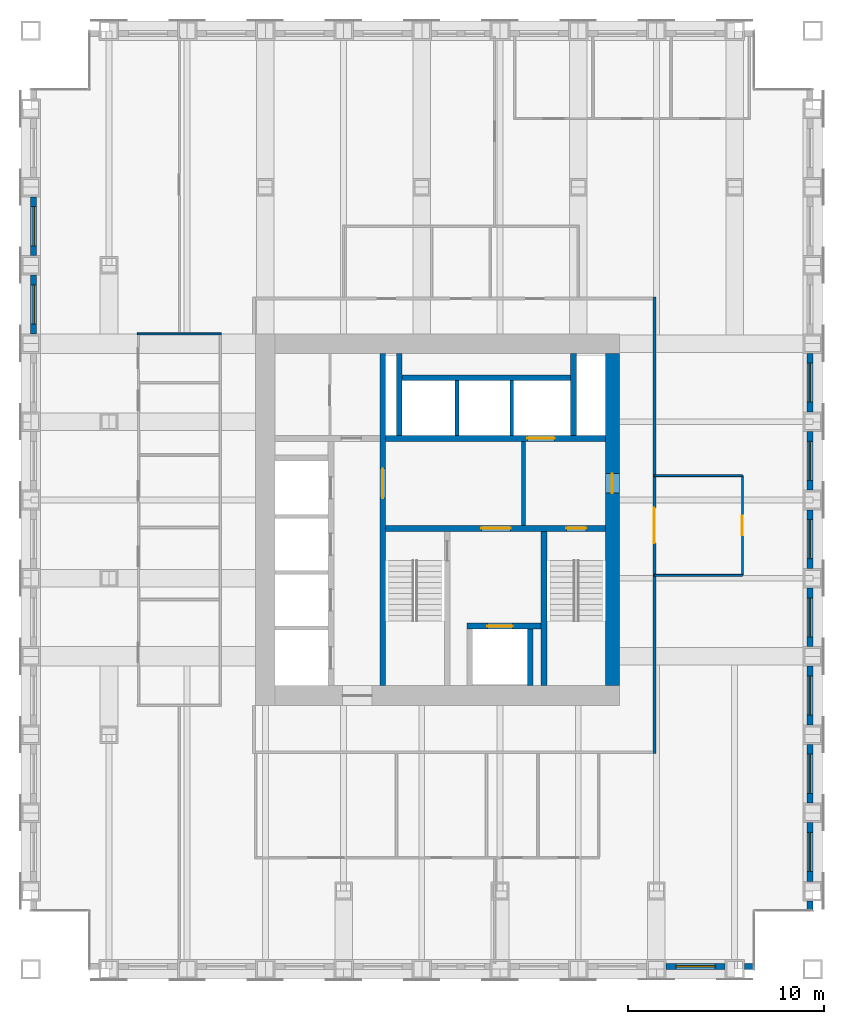
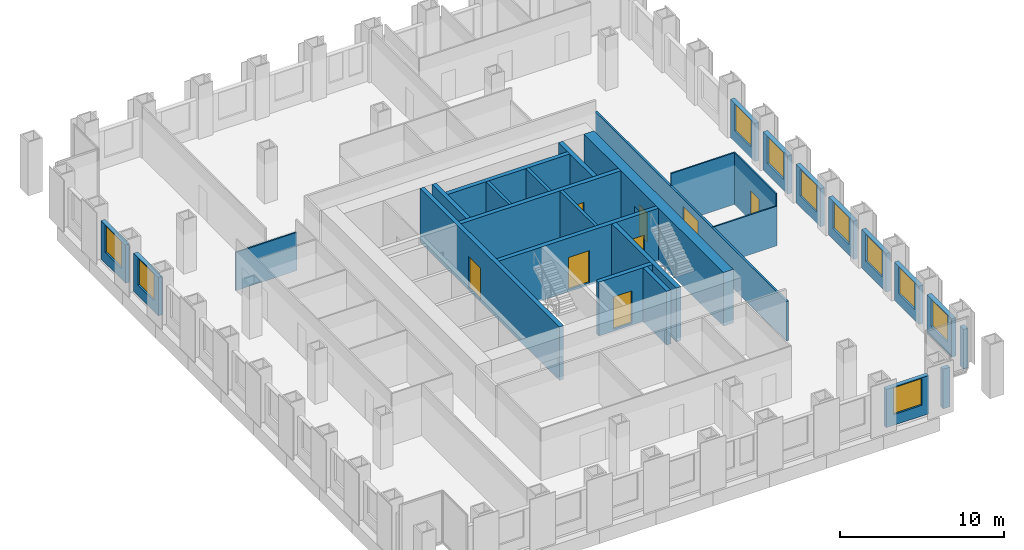
# One storey, part 9 of 12: 30 walls, 10 windows, 8 doors, 18 openings.
"""IFC4 building model written with IfcOpenShell, lengths in metres."""

from ifc_helpers import new_model, si_unit, direction, frame, frame_2d, origin, place, context, subcontext, project, spatial, rectangle, extrude, material, layer, layer_set, type_object, element, fill, save


model = new_model("IFC4")

# Units and contexts
model_context = context("Model", 3, precision=1e-05, world=origin(), true_north=direction((0.0, 1.0)))
body_context = subcontext(model_context, "Body", "Model", "MODEL_VIEW")
ifc_project = project(units=[si_unit("LENGTHUNIT", "METRE"), si_unit("AREAUNIT", "SQUARE_METRE"), si_unit("VOLUMEUNIT", "CUBIC_METRE"), si_unit("PLANEANGLEUNIT", "RADIAN"), si_unit("MASSUNIT", "GRAM", prefix="KILO")], contexts=[model_context])

# Site, building, storey
site_placement = place(None, origin())
site = spatial("IfcSite", under=ifc_project, at=site_placement, CompositionType="ELEMENT")
building_placement = place(site_placement, origin())
building = spatial("IfcBuilding", under=site, at=building_placement, Name="Rimbunsela Tower", CompositionType="ELEMENT")
storey_placement = place(building_placement, frame((0.0, 0.0, 159.800048828125)))
storey = spatial("IfcBuildingStorey", under=building, at=storey_placement, Name="L38", CompositionType="ELEMENT", Elevation=159.800048828125)

# Wall, opening, door
ifc_material_1 = material(Name="Concrete fc' 80 MPa", Category="concrete")
ifc_layer_1 = layer(ifc_material_1, 0.300048828125)
ifc_layer_set_1 = layer_set([ifc_layer_1], Name="Core internal wall 300")
wall_type_1 = type_object("IfcWallType", Name="Core internal wall 300", PredefinedType="SHEAR", material=ifc_layer_set_1)
wall_1_placement = place(storey_placement, frame((24.0, 18.5, -0.150146484375), z_axis=(0.0, 0.0, 1.0), x_axis=(0.0, 1.0, 0.0)))
wall_1 = element("IfcWall", 1, at=wall_1_placement, inside=storey, type_object=wall_type_1, Name="Core wall at stair A", PredefinedType="SHEAR", context=body_context, shape_type="SweptSolid", body=[
    extrude(rectangle(XDim=17.0, YDim=0.300048828125, at=frame_2d((8.5, 0.0))), origin(), (0.0, 0.0, 1.0), 4.0),
])
opening_1_placement = place(wall_1_placement, frame((9.60009765625, 0.0, 0.14990234375)))
opening_1 = element("IfcOpeningElement", 2, at=opening_1_placement, cuts=wall_1, Name="Opening D03", PredefinedType="OPENING", context=body_context, shape_type="SweptSolid", body=[
    extrude(rectangle(XDim=1.5, YDim=2.39990234375, at=frame_2d((0.75, 1.199951171875))), frame((0.0, 0.159912109375, 0.0), z_axis=(0.0, -1.0, 0.0), x_axis=(1.0, 0.0, 0.0)), (0.0, 0.0, 1.0), 0.320068359375),
])
ifc_material_2 = material(Name="Steel door, fire rated", Category="steel")
door_type_1 = type_object("IfcDoorType", Name="Core lobby door 1500", OperationType="DOUBLE_DOOR_DOUBLE_SWING", PredefinedType="DOOR", material=ifc_material_2)
door_1_placement = place(opening_1_placement, origin())
door_1 = element("IfcDoor", 3, at=door_1_placement, inside=storey, type_object=door_type_1, Name="West lobby door", OperationType="DOUBLE_DOOR_DOUBLE_SWING", OverallHeight=2.39990234375, OverallWidth=1.5, PredefinedType="DOOR", context=body_context, shape_type="SweptSolid", body=[
    extrude(rectangle(XDim=1.5, YDim=2.39990234375, at=frame_2d((0.75, 1.199951171875))), frame((0.0, 0.02490234375, 0.0), z_axis=(0.0, -1.0, 0.0), x_axis=(1.0, 0.0, 0.0)), (0.0, 0.0, 1.0), 0.050048828125),
])
fill(opening_1, door_1)

# Wall, openings, doors
wall_2_placement = place(storey_placement, frame((24.14990234375, 26.550048828125, -0.150146484375), z_axis=(0.0, 0.0, 1.0), x_axis=(1.0, 0.0, 0.0)))
wall_2 = element("IfcWall", 4, at=wall_2_placement, inside=storey, type_object=wall_type_1, Name="Core wall lobby south", PredefinedType="SHEAR", context=body_context, shape_type="SweptSolid", body=[
    extrude(rectangle(XDim=11.25, YDim=0.300048828125, at=frame_2d((5.625, 0.0))), origin(), (0.0, 0.0, 1.0), 4.0),
])
opening_2_placement = place(wall_2_placement, frame((9.25, 0.0, 0.14990234375)))
opening_2 = element("IfcOpeningElement", 5, at=opening_2_placement, cuts=wall_2, Name="Opening D01", PredefinedType="OPENING", context=body_context, shape_type="SweptSolid", body=[
    extrude(rectangle(XDim=1.0, YDim=2.199951171875, at=frame_2d((0.5, 1.10009765625))), frame((0.0, 0.159912109375, 0.0), z_axis=(0.0, -1.0, 0.0), x_axis=(1.0, 0.0, 0.0)), (0.0, 0.0, 1.0), 0.320068359375),
])
opening_3_placement = place(wall_2_placement, frame((4.89990234375, 0.0, 0.14990234375)))
opening_3 = element("IfcOpeningElement", 6, at=opening_3_placement, cuts=wall_2, Name="Opening D03", PredefinedType="OPENING", context=body_context, shape_type="SweptSolid", body=[
    extrude(rectangle(XDim=1.5, YDim=2.39990234375, at=frame_2d((0.75, 1.199951171875))), frame((0.0, 0.159912109375, 0.0), z_axis=(0.0, -1.0, 0.0), x_axis=(1.0, 0.0, 0.0)), (0.0, 0.0, 1.0), 0.320068359375),
])
door_2_placement = place(opening_3_placement, origin())
door_2 = element("IfcDoor", 7, at=door_2_placement, inside=storey, type_object=door_type_1, Name="Firefighting lobby door", OperationType="DOUBLE_DOOR_DOUBLE_SWING", OverallHeight=2.39990234375, OverallWidth=1.5, PredefinedType="DOOR", context=body_context, shape_type="SweptSolid", body=[
    extrude(rectangle(XDim=1.5, YDim=2.39990234375, at=frame_2d((0.75, 1.199951171875))), frame((0.0, 0.02490234375, 0.0), z_axis=(0.0, -1.0, 0.0), x_axis=(1.0, 0.0, 0.0)), (0.0, 0.0, 1.0), 0.050048828125),
])
fill(opening_3, door_2)
ifc_material_3 = material(Name="Steel door, fire rated", Category="steel")
door_type_2 = type_object("IfcDoorType", Name="Stair door 1000", OperationType="SINGLE_SWING_RIGHT", PredefinedType="DOOR", material=ifc_material_3)
door_3_placement = place(opening_2_placement, frame((1.0, 0.0, 0.0), z_axis=(0.0, 0.0, 1.0), x_axis=(-1.0, 0.0, 0.0)))
door_3 = element("IfcDoor", 8, at=door_3_placement, inside=storey, type_object=door_type_2, Name="Stair B door", OperationType="SINGLE_SWING_RIGHT", OverallHeight=2.199951171875, OverallWidth=1.0, PredefinedType="DOOR", context=body_context, shape_type="SweptSolid", body=[
    extrude(rectangle(XDim=1.0, YDim=2.199951171875, at=frame_2d((0.5, 1.10009765625))), frame((0.0, 0.02490234375, 0.0), z_axis=(0.0, -1.0, 0.0), x_axis=(1.0, 0.0, 0.0)), (0.0, 0.0, 1.0), 0.050048828125),
])
fill(opening_2, door_3)

# Walls
wall_3_placement = place(storey_placement, frame((32.25, 18.5, -0.150146484375), z_axis=(0.0, 0.0, 1.0), x_axis=(0.0, 1.0, 0.0)))
element("IfcWall", 9, at=wall_3_placement, inside=storey, type_object=wall_type_1, Name="Stair B enclosure", PredefinedType="SHEAR", context=body_context, shape_type="SweptSolid", body=[
    extrude(rectangle(XDim=7.89990234375, YDim=0.300048828125, at=frame_2d((3.949951171875, 0.0))), origin(), (0.0, 0.0, 1.0), 4.0),
])
wall_4_placement = place(storey_placement, frame((31.550048828125, 18.5, -0.150146484375), z_axis=(0.0, 0.0, 1.0), x_axis=(0.0, 1.0, 0.0)))
element("IfcWall", 10, at=wall_4_placement, inside=storey, type_object=wall_type_1, Name="Firefighting lift shaft east", PredefinedType="SHEAR", context=body_context, shape_type="SweptSolid", body=[
    extrude(rectangle(XDim=2.89990234375, YDim=0.300048828125, at=frame_2d((1.449951171875, 0.0))), origin(), (0.0, 0.0, 1.0), 4.0),
])

# Wall, opening, door
wall_5_placement = place(storey_placement, frame((28.300048828125, 21.550048828125, -0.150146484375), z_axis=(0.0, 0.0, 1.0), x_axis=(1.0, 0.0, 0.0)))
wall_5 = element("IfcWall", 11, at=wall_5_placement, inside=storey, type_object=wall_type_1, Name="Firefighting lift shaft front", PredefinedType="SHEAR", context=body_context, shape_type="SweptSolid", body=[
    extrude(rectangle(XDim=3.800048828125, YDim=0.300048828125, at=frame_2d((1.89990234375, 0.0))), origin(), (0.0, 0.0, 1.0), 4.0),
])
opening_4_placement = place(wall_5_placement, frame((1.050048828125, 0.0, 0.14990234375)))
opening_4 = element("IfcOpeningElement", 12, at=opening_4_placement, cuts=wall_5, Name="Opening LD2", PredefinedType="OPENING", context=body_context, shape_type="SweptSolid", body=[
    extrude(rectangle(XDim=1.300048828125, YDim=2.39990234375, at=frame_2d((0.64990234375, 1.199951171875))), frame((0.0, 0.159912109375, 0.0), z_axis=(0.0, -1.0, 0.0), x_axis=(1.0, 0.0, 0.0)), (0.0, 0.0, 1.0), 0.320068359375),
])
ifc_material_4 = material(Name="Steel door, fire rated", Category="steel")
door_type_3 = type_object("IfcDoorType", Name="Lift landing door 1300", OperationType="DOUBLE_DOOR_SLIDING", PredefinedType="DOOR", material=ifc_material_4)
door_4_placement = place(opening_4_placement, origin())
door_4 = element("IfcDoor", 13, at=door_4_placement, inside=storey, type_object=door_type_3, Name="Lift landing door FL1", OperationType="DOUBLE_DOOR_SLIDING", OverallHeight=2.39990234375, OverallWidth=1.300048828125, PredefinedType="DOOR", context=body_context, shape_type="SweptSolid", body=[
    extrude(rectangle(XDim=1.300048828125, YDim=2.39990234375, at=frame_2d((0.64990234375, 1.199951171875))), frame((0.0, 0.02490234375, 0.0), z_axis=(0.0, -1.0, 0.0), x_axis=(1.0, 0.0, 0.0)), (0.0, 0.0, 1.0), 0.050048828125),
])
fill(opening_4, door_4)

wall_6_placement = place(storey_placement, frame((24.14990234375, 31.14990234375, -0.150146484375), z_axis=(0.0, 0.0, 1.0), x_axis=(1.0, 0.0, 0.0)))
wall_6 = element("IfcWall", 14, at=wall_6_placement, inside=storey, type_object=wall_type_1, Name="Lift shaft front north", PredefinedType="SHEAR", context=body_context, shape_type="SweptSolid", body=[
    extrude(rectangle(XDim=11.25, YDim=0.300048828125, at=frame_2d((5.625, 0.0))), origin(), (0.0, 0.0, 1.0), 4.0),
])
opening_5_placement = place(wall_6_placement, frame((7.25, 0.0, 0.14990234375)))
opening_5 = element("IfcOpeningElement", 15, at=opening_5_placement, cuts=wall_6, Name="Opening LD3", PredefinedType="OPENING", context=body_context, shape_type="SweptSolid", body=[
    extrude(rectangle(XDim=1.39990234375, YDim=2.39990234375, at=frame_2d((0.699951171875, 1.199951171875))), frame((0.0, 0.159912109375, 0.0), z_axis=(0.0, -1.0, 0.0), x_axis=(1.0, 0.0, 0.0)), (0.0, 0.0, 1.0), 0.320068359375),
])
ifc_material_5 = material(Name="Steel door, fire rated", Category="steel")
door_type_4 = type_object("IfcDoorType", Name="Lift landing door 1400", OperationType="DOUBLE_DOOR_SLIDING", PredefinedType="DOOR", material=ifc_material_5)
door_5_placement = place(opening_5_placement, origin())
door_5 = element("IfcDoor", 16, at=door_5_placement, inside=storey, type_object=door_type_4, Name="Lift landing door FL2", OperationType="DOUBLE_DOOR_SLIDING", OverallHeight=2.39990234375, OverallWidth=1.39990234375, PredefinedType="DOOR", context=body_context, shape_type="SweptSolid", body=[
    extrude(rectangle(XDim=1.39990234375, YDim=2.39990234375, at=frame_2d((0.699951171875, 1.199951171875))), frame((0.0, 0.02490234375, 0.0), z_axis=(0.0, -1.0, 0.0), x_axis=(1.0, 0.0, 0.0)), (0.0, 0.0, 1.0), 0.050048828125),
])
fill(opening_5, door_5)

# Walls
for number, where, z_axis, x_axis, name in (
    (17, (24.85009765625, 31.300048828125, -0.150146484375), (0.0, 0.0, 1.0), (0.0, 1.0, 0.0), "Riser wall"),
    (18, (33.75, 31.300048828125, -0.150146484375), (0.0, 0.0, 1.0), (0.0, 1.0, 0.0), "Riser wall"),
):
    element("IfcWall", number, at=place(storey_placement, frame(where, z_axis=z_axis, x_axis=x_axis)), inside=storey, type_object=wall_type_1, Name=name, PredefinedType="SHEAR", context=body_context, shape_type="SweptSolid", body=[
        extrude(rectangle(XDim=4.199951171875, YDim=0.300048828125, at=frame_2d((2.10009765625, 0.0))), origin(), (0.0, 0.0, 1.0), 4.0),
    ])
wall_7_placement = place(storey_placement, frame((25.0, 34.25, -0.150146484375), z_axis=(0.0, 0.0, 1.0), x_axis=(1.0, 0.0, 0.0)))
element("IfcWall", 19, at=wall_7_placement, inside=storey, type_object=wall_type_1, Name="Lift shaft rear north", PredefinedType="SHEAR", context=body_context, shape_type="SweptSolid", body=[
    extrude(rectangle(XDim=8.60009765625, YDim=0.300048828125, at=frame_2d((4.300048828125, 0.0))), origin(), (0.0, 0.0, 1.0), 4.0),
])

# Wall, opening, door
ifc_material_6 = material(Name="Concrete fc' 80 MPa", Category="concrete")
ifc_layer_2 = layer(ifc_material_6, 0.699951171875)
ifc_layer_set_2 = layer_set([ifc_layer_2], Name="Core wall 700 east")
wall_type_2 = type_object("IfcWallType", Name="Core wall 700 east", PredefinedType="SHEAR", material=ifc_layer_set_2)
wall_8_placement = place(storey_placement, frame((35.75, 18.5, -0.150146484375), z_axis=(0.0, 0.0, 1.0), x_axis=(0.0, 1.0, 0.0)))
wall_8 = element("IfcWall", 20, at=wall_8_placement, inside=storey, type_object=wall_type_2, Name="Core wall east", PredefinedType="SHEAR", context=body_context, shape_type="SweptSolid", body=[
    extrude(rectangle(XDim=17.0, YDim=0.699951171875, at=frame_2d((8.5, 0.0))), origin(), (0.0, 0.0, 1.0), 4.0),
])
opening_6_placement = place(wall_8_placement, frame((9.85009765625, 0.0, 0.14990234375)))
opening_6 = element("IfcOpeningElement", 21, at=opening_6_placement, cuts=wall_8, Name="Opening D01", PredefinedType="OPENING", context=body_context, shape_type="SweptSolid", body=[
    extrude(rectangle(XDim=1.0, YDim=2.199951171875, at=frame_2d((0.5, 1.10009765625))), frame((0.0, 0.35986328125, 0.0), z_axis=(0.0, -1.0, 0.0), x_axis=(1.0, 0.0, 0.0)), (0.0, 0.0, 1.0), 0.719970703125),
])
door_6_placement = place(opening_6_placement, origin())
door_6 = element("IfcDoor", 22, at=door_6_placement, inside=storey, type_object=door_type_2, Name="Firefighting lobby 2 door", OperationType="SINGLE_SWING_RIGHT", OverallHeight=2.199951171875, OverallWidth=1.0, PredefinedType="DOOR", context=body_context, shape_type="SweptSolid", body=[
    extrude(rectangle(XDim=1.0, YDim=2.199951171875, at=frame_2d((0.5, 1.10009765625))), frame((0.0, 0.02490234375, 0.0), z_axis=(0.0, -1.0, 0.0), x_axis=(1.0, 0.0, 0.0)), (0.0, 0.0, 1.0), 0.050048828125),
])
fill(opening_6, door_6)

# Walls
ifc_material_7 = material(Name="Concrete blockwork", Category="masonry")
ifc_layer_3 = layer(ifc_material_7, 0.199951171875)
ifc_layer_set_3 = layer_set([ifc_layer_3], Name="Lift shaft wall 200")
wall_type_3 = type_object("IfcWallType", Name="Lift shaft wall 200", PredefinedType="SOLIDWALL", material=ifc_layer_set_3)
for number, where, z_axis, x_axis, name in (
    (23, (27.800048828125, 31.300048828125, -0.150146484375), (0.0, 0.0, 1.0), (0.0, 1.0, 0.0), "Lift shaft separation"),
    (24, (30.60009765625, 31.300048828125, -0.150146484375), (0.0, 0.0, 1.0), (0.0, 1.0, 0.0), "Lift shaft separation"),
):
    element("IfcWall", number, at=place(storey_placement, frame(where, z_axis=z_axis, x_axis=x_axis)), inside=storey, type_object=wall_type_3, Name=name, PredefinedType="SOLIDWALL", context=body_context, shape_type="SweptSolid", body=[
        extrude(rectangle(XDim=2.800048828125, YDim=0.199951171875, at=frame_2d((1.39990234375, 0.0))), origin(), (0.0, 0.0, 1.0), 4.0),
    ])
wall_9_placement = place(storey_placement, frame((31.199951171875, 26.699951171875, 0.0), z_axis=(0.0, 0.0, 1.0), x_axis=(0.0, 1.0, 0.0)))
element("IfcWall", 25, at=wall_9_placement, inside=storey, type_object=wall_type_3, Name="Firefighting lobby 2 wall", PredefinedType="SOLIDWALL", context=body_context, shape_type="SweptSolid", body=[
    extrude(rectangle(XDim=4.300048828125, YDim=0.199951171875, at=frame_2d((2.14990234375, 0.0))), origin(), (0.0, 0.0, 1.0), 3.849853515625),
])
ifc_material_8 = material(Name="Gypsum board on steel studs", Category="steel")
ifc_layer_4 = layer(ifc_material_8, 0.10009765625)
ifc_layer_set_4 = layer_set([ifc_layer_4], Name="Office partition 100")
wall_type_4 = type_object("IfcWallType", Name="Office partition 100", PredefinedType="PARTITIONING", material=ifc_layer_set_4)
wall_10_placement = place(storey_placement, frame((11.449951171875, 36.5, 0.0), z_axis=(0.0, 0.0, 1.0), x_axis=(1.0, 0.0, 0.0)))
element("IfcWall", 26, at=wall_10_placement, inside=storey, type_object=wall_type_4, Name="Office partition", PredefinedType="PARTITIONING", context=body_context, shape_type="SweptSolid", body=[
    extrude(rectangle(XDim=4.300048828125, YDim=0.10009765625, at=frame_2d((2.14990234375, 0.0))), origin(), (0.0, 0.0, 1.0), 2.849853515625),
])
wall_11_placement = place(storey_placement, frame((37.89990234375, 24.14990234375, 0.0), z_axis=(0.0, 0.0, 1.0), x_axis=(1.0, 0.0, 0.0)))
element("IfcWall", 27, at=wall_11_placement, inside=storey, type_object=wall_type_4, Name="Office partition", PredefinedType="PARTITIONING", context=body_context, shape_type="SweptSolid", body=[
    extrude(rectangle(XDim=4.5, YDim=0.10009765625, at=frame_2d((2.25, 0.0))), origin(), (0.0, 0.0, 1.0), 2.949951171875),
])

# Wall, opening, door
wall_12_placement = place(storey_placement, frame((42.39990234375, 24.14990234375, 0.0), z_axis=(0.0, 0.0, 1.0), x_axis=(0.0, 1.0, 0.0)))
wall_12 = element("IfcWall", 28, at=wall_12_placement, inside=storey, type_object=wall_type_4, Name="Office partition", PredefinedType="PARTITIONING", context=body_context, shape_type="SweptSolid", body=[
    extrude(rectangle(XDim=5.10009765625, YDim=0.10009765625, at=frame_2d((2.550048828125, 0.0))), origin(), (0.0, 0.0, 1.0), 3.849853515625),
])
opening_7_placement = place(wall_12_placement, frame((2.050048828125, 0.0, 0.0)))
opening_7 = element("IfcOpeningElement", 29, at=opening_7_placement, cuts=wall_12, Name="Opening D17", PredefinedType="OPENING", context=body_context, shape_type="SweptSolid", body=[
    extrude(rectangle(XDim=1.0, YDim=2.199951171875, at=frame_2d((0.5, 1.10009765625))), frame((0.0, 0.06005859375, 0.0), z_axis=(0.0, -1.0, 0.0), x_axis=(1.0, 0.0, 0.0)), (0.0, 0.0, 1.0), 0.1201171875),
])
ifc_material_9 = material(Name="Glazed aluminium door", Category="aluminium")
door_type_5 = type_object("IfcDoorType", Name="Meeting room door 1000 glazed", OperationType="SINGLE_SWING_RIGHT", PredefinedType="DOOR", material=ifc_material_9)
door_7_placement = place(opening_7_placement, origin())
door_7 = element("IfcDoor", 30, at=door_7_placement, inside=storey, type_object=door_type_5, Name="Reception door", OperationType="SINGLE_SWING_RIGHT", OverallHeight=2.199951171875, OverallWidth=1.0, PredefinedType="DOOR", context=body_context, shape_type="SweptSolid", body=[
    extrude(rectangle(XDim=1.0, YDim=2.199951171875, at=frame_2d((0.5, 1.10009765625))), frame((0.0, 0.02490234375, 0.0), z_axis=(0.0, -1.0, 0.0), x_axis=(1.0, 0.0, 0.0)), (0.0, 0.0, 1.0), 0.050048828125),
])
fill(opening_7, door_7)

# Wall
wall_13_placement = place(storey_placement, frame((42.39990234375, 29.25, 0.0), z_axis=(0.0, 0.0, 1.0), x_axis=(-1.0, 0.0, 0.0)))
element("IfcWall", 31, at=wall_13_placement, inside=storey, type_object=wall_type_4, Name="Office partition", PredefinedType="PARTITIONING", context=body_context, shape_type="SweptSolid", body=[
    extrude(rectangle(XDim=4.5, YDim=0.10009765625, at=frame_2d((2.25, 0.0))), origin(), (0.0, 0.0, 1.0), 3.849853515625),
])

# Wall, opening, window
ifc_material_10 = material(Name="Precast concrete fc' 35 MPa", Category="concrete")
ifc_layer_5 = layer(ifc_material_10, 0.300048828125)
ifc_layer_set_5 = layer_set([ifc_layer_5], Name="Precast concrete fc' 35 MPa")
wall_type_5 = type_object("IfcWallType", Name="Precast facade panel 300", PredefinedType="ELEMENTEDWALL", material=ifc_layer_set_5)
wall_14_placement = place(storey_placement, frame((38.5, 4.14990234375, 0.0), z_axis=(0.0, 0.0, 1.0), x_axis=(1.0, 0.0, 0.0)))
wall_14 = element("IfcWall", 32, at=wall_14_placement, inside=storey, type_object=wall_type_5, Name="Facade panel S L38", PredefinedType="ELEMENTEDWALL", context=body_context, shape_type="SweptSolid", body=[
    extrude(rectangle(XDim=3.0, YDim=0.300048828125, at=frame_2d((1.5, 0.0))), origin(), (0.0, 0.0, 1.0), 2.849853515625),
])
opening_8_placement = place(wall_14_placement, frame((0.5, 0.0, 0.800048828125)))
opening_8 = element("IfcOpeningElement", 33, at=opening_8_placement, cuts=wall_14, Name="Opening W1", PredefinedType="OPENING", context=body_context, shape_type="SweptSolid", body=[
    extrude(rectangle(XDim=2.0, YDim=2.0, at=frame_2d((1.0, 1.0))), frame((0.0, 0.159912109375, 0.0), z_axis=(0.0, -1.0, 0.0), x_axis=(1.0, 0.0, 0.0)), (0.0, 0.0, 1.0), 0.320068359375),
])
ifc_material_11 = material(Name="Clear glass in aluminium frame", Category="aluminium")
window_type = type_object("IfcWindowType", Name="Window W1 2000x2000", PartitioningType="DOUBLE_PANEL_VERTICAL", PredefinedType="WINDOW", material=ifc_material_11)
window_1_placement = place(opening_8_placement, origin())
window_1 = element("IfcWindow", 34, at=window_1_placement, inside=storey, type_object=window_type, Name="Window L38", OverallHeight=2.0, OverallWidth=2.0, PartitioningType="SINGLE_PANEL", PredefinedType="WINDOW", context=body_context, shape_type="SweptSolid", body=[
    extrude(rectangle(XDim=2.0, YDim=2.0, at=frame_2d((1.0, 1.0))), frame((0.0, 0.030029296875, 0.0), z_axis=(0.0, -1.0, 0.0), x_axis=(1.0, 0.0, 0.0)), (0.0, 0.0, 1.0), 0.06005859375),
])
fill(opening_8, window_1)

# Walls
for number, where, z_axis, x_axis, name in (
    (35, (42.5, 4.14990234375, 0.0), (0.0, 0.0, 1.0), (1.0, 0.0, 0.0), "Facade panel S L38"),
    (36, (45.85009765625, 7.030029296875, 0.0), (0.0, 0.0, 1.0), (0.0, 1.0, 0.0), "Facade panel E L38"),
):
    element("IfcWall", number, at=place(storey_placement, frame(where, z_axis=z_axis, x_axis=x_axis)), inside=storey, type_object=wall_type_5, Name=name, PredefinedType="ELEMENTEDWALL", context=body_context, shape_type="SweptSolid", body=[
        extrude(rectangle(XDim=0.469970703125, YDim=0.300048828125, at=frame_2d((0.23486328125, 0.0))), origin(), (0.0, 0.0, 1.0), 2.949951171875),
    ])

# Wall, opening, window
wall_15_placement = place(storey_placement, frame((45.85009765625, 8.5, 0.0), z_axis=(0.0, 0.0, 1.0), x_axis=(0.0, 1.0, 0.0)))
wall_15 = element("IfcWall", 37, at=wall_15_placement, inside=storey, type_object=wall_type_5, Name="Facade panel E L38", PredefinedType="ELEMENTEDWALL", context=body_context, shape_type="SweptSolid", body=[
    extrude(rectangle(XDim=3.0, YDim=0.300048828125, at=frame_2d((1.5, 0.0))), origin(), (0.0, 0.0, 1.0), 2.849853515625),
])
opening_9_placement = place(wall_15_placement, frame((0.5, 0.0, 0.800048828125)))
opening_9 = element("IfcOpeningElement", 38, at=opening_9_placement, cuts=wall_15, Name="Opening W1", PredefinedType="OPENING", context=body_context, shape_type="SweptSolid", body=[
    extrude(rectangle(XDim=2.0, YDim=2.0, at=frame_2d((1.0, 1.0))), frame((0.0, 0.159912109375, 0.0), z_axis=(0.0, -1.0, 0.0), x_axis=(1.0, 0.0, 0.0)), (0.0, 0.0, 1.0), 0.320068359375),
])
window_2_placement = place(opening_9_placement, origin())
window_2 = element("IfcWindow", 39, at=window_2_placement, inside=storey, type_object=window_type, Name="Window L38", OverallHeight=2.0, OverallWidth=2.0, PartitioningType="SINGLE_PANEL", PredefinedType="WINDOW", context=body_context, shape_type="SweptSolid", body=[
    extrude(rectangle(XDim=2.0, YDim=2.0, at=frame_2d((1.0, 1.0))), frame((0.0, 0.030029296875, 0.0), z_axis=(0.0, -1.0, 0.0), x_axis=(1.0, 0.0, 0.0)), (0.0, 0.0, 1.0), 0.06005859375),
])
fill(opening_9, window_2)

wall_16_placement = place(storey_placement, frame((45.85009765625, 12.5, 0.0), z_axis=(0.0, 0.0, 1.0), x_axis=(0.0, 1.0, 0.0)))
wall_16 = element("IfcWall", 40, at=wall_16_placement, inside=storey, type_object=wall_type_5, Name="Facade panel E L38", PredefinedType="ELEMENTEDWALL", context=body_context, shape_type="SweptSolid", body=[
    extrude(rectangle(XDim=3.0, YDim=0.300048828125, at=frame_2d((1.5, 0.0))), origin(), (0.0, 0.0, 1.0), 2.849853515625),
])
opening_10_placement = place(wall_16_placement, frame((0.5, 0.0, 0.800048828125)))
opening_10 = element("IfcOpeningElement", 41, at=opening_10_placement, cuts=wall_16, Name="Opening W1", PredefinedType="OPENING", context=body_context, shape_type="SweptSolid", body=[
    extrude(rectangle(XDim=2.0, YDim=2.0, at=frame_2d((1.0, 1.0))), frame((0.0, 0.159912109375, 0.0), z_axis=(0.0, -1.0, 0.0), x_axis=(1.0, 0.0, 0.0)), (0.0, 0.0, 1.0), 0.320068359375),
])
window_3_placement = place(opening_10_placement, origin())
window_3 = element("IfcWindow", 42, at=window_3_placement, inside=storey, type_object=window_type, Name="Window L38", OverallHeight=2.0, OverallWidth=2.0, PartitioningType="SINGLE_PANEL", PredefinedType="WINDOW", context=body_context, shape_type="SweptSolid", body=[
    extrude(rectangle(XDim=2.0, YDim=2.0, at=frame_2d((1.0, 1.0))), frame((0.0, 0.030029296875, 0.0), z_axis=(0.0, -1.0, 0.0), x_axis=(1.0, 0.0, 0.0)), (0.0, 0.0, 1.0), 0.06005859375),
])
fill(opening_10, window_3)

wall_17_placement = place(storey_placement, frame((45.85009765625, 16.5, 0.0), z_axis=(0.0, 0.0, 1.0), x_axis=(0.0, 1.0, 0.0)))
wall_17 = element("IfcWall", 43, at=wall_17_placement, inside=storey, type_object=wall_type_5, Name="Facade panel E L38", PredefinedType="ELEMENTEDWALL", context=body_context, shape_type="SweptSolid", body=[
    extrude(rectangle(XDim=3.0, YDim=0.300048828125, at=frame_2d((1.5, 0.0))), origin(), (0.0, 0.0, 1.0), 2.849853515625),
])
opening_11_placement = place(wall_17_placement, frame((0.5, 0.0, 0.800048828125)))
opening_11 = element("IfcOpeningElement", 44, at=opening_11_placement, cuts=wall_17, Name="Opening W1", PredefinedType="OPENING", context=body_context, shape_type="SweptSolid", body=[
    extrude(rectangle(XDim=2.0, YDim=2.0, at=frame_2d((1.0, 1.0))), frame((0.0, 0.159912109375, 0.0), z_axis=(0.0, -1.0, 0.0), x_axis=(1.0, 0.0, 0.0)), (0.0, 0.0, 1.0), 0.320068359375),
])
window_4_placement = place(opening_11_placement, origin())
window_4 = element("IfcWindow", 45, at=window_4_placement, inside=storey, type_object=window_type, Name="Window L38", OverallHeight=2.0, OverallWidth=2.0, PartitioningType="SINGLE_PANEL", PredefinedType="WINDOW", context=body_context, shape_type="SweptSolid", body=[
    extrude(rectangle(XDim=2.0, YDim=2.0, at=frame_2d((1.0, 1.0))), frame((0.0, 0.030029296875, 0.0), z_axis=(0.0, -1.0, 0.0), x_axis=(1.0, 0.0, 0.0)), (0.0, 0.0, 1.0), 0.06005859375),
])
fill(opening_11, window_4)

wall_18_placement = place(storey_placement, frame((45.85009765625, 20.5, 0.0), z_axis=(0.0, 0.0, 1.0), x_axis=(0.0, 1.0, 0.0)))
wall_18 = element("IfcWall", 46, at=wall_18_placement, inside=storey, type_object=wall_type_5, Name="Facade panel E L38", PredefinedType="ELEMENTEDWALL", context=body_context, shape_type="SweptSolid", body=[
    extrude(rectangle(XDim=3.0, YDim=0.300048828125, at=frame_2d((1.5, 0.0))), origin(), (0.0, 0.0, 1.0), 2.849853515625),
])
opening_12_placement = place(wall_18_placement, frame((0.5, 0.0, 0.800048828125)))
opening_12 = element("IfcOpeningElement", 47, at=opening_12_placement, cuts=wall_18, Name="Opening W1", PredefinedType="OPENING", context=body_context, shape_type="SweptSolid", body=[
    extrude(rectangle(XDim=2.0, YDim=2.0, at=frame_2d((1.0, 1.0))), frame((0.0, 0.159912109375, 0.0), z_axis=(0.0, -1.0, 0.0), x_axis=(1.0, 0.0, 0.0)), (0.0, 0.0, 1.0), 0.320068359375),
])
window_5_placement = place(opening_12_placement, origin())
window_5 = element("IfcWindow", 48, at=window_5_placement, inside=storey, type_object=window_type, Name="Window L38", OverallHeight=2.0, OverallWidth=2.0, PartitioningType="SINGLE_PANEL", PredefinedType="WINDOW", context=body_context, shape_type="SweptSolid", body=[
    extrude(rectangle(XDim=2.0, YDim=2.0, at=frame_2d((1.0, 1.0))), frame((0.0, 0.030029296875, 0.0), z_axis=(0.0, -1.0, 0.0), x_axis=(1.0, 0.0, 0.0)), (0.0, 0.0, 1.0), 0.06005859375),
])
fill(opening_12, window_5)

wall_19_placement = place(storey_placement, frame((45.85009765625, 24.5, 0.0), z_axis=(0.0, 0.0, 1.0), x_axis=(0.0, 1.0, 0.0)))
wall_19 = element("IfcWall", 49, at=wall_19_placement, inside=storey, type_object=wall_type_5, Name="Facade panel E L38", PredefinedType="ELEMENTEDWALL", context=body_context, shape_type="SweptSolid", body=[
    extrude(rectangle(XDim=3.0, YDim=0.300048828125, at=frame_2d((1.5, 0.0))), origin(), (0.0, 0.0, 1.0), 2.849853515625),
])
opening_13_placement = place(wall_19_placement, frame((0.5, 0.0, 0.800048828125)))
opening_13 = element("IfcOpeningElement", 50, at=opening_13_placement, cuts=wall_19, Name="Opening W1", PredefinedType="OPENING", context=body_context, shape_type="SweptSolid", body=[
    extrude(rectangle(XDim=2.0, YDim=2.0, at=frame_2d((1.0, 1.0))), frame((0.0, 0.159912109375, 0.0), z_axis=(0.0, -1.0, 0.0), x_axis=(1.0, 0.0, 0.0)), (0.0, 0.0, 1.0), 0.320068359375),
])
window_6_placement = place(opening_13_placement, origin())
window_6 = element("IfcWindow", 51, at=window_6_placement, inside=storey, type_object=window_type, Name="Window L38", OverallHeight=2.0, OverallWidth=2.0, PartitioningType="SINGLE_PANEL", PredefinedType="WINDOW", context=body_context, shape_type="SweptSolid", body=[
    extrude(rectangle(XDim=2.0, YDim=2.0, at=frame_2d((1.0, 1.0))), frame((0.0, 0.030029296875, 0.0), z_axis=(0.0, -1.0, 0.0), x_axis=(1.0, 0.0, 0.0)), (0.0, 0.0, 1.0), 0.06005859375),
])
fill(opening_13, window_6)

wall_20_placement = place(storey_placement, frame((45.85009765625, 28.5, 0.0), z_axis=(0.0, 0.0, 1.0), x_axis=(0.0, 1.0, 0.0)))
wall_20 = element("IfcWall", 52, at=wall_20_placement, inside=storey, type_object=wall_type_5, Name="Facade panel E L38", PredefinedType="ELEMENTEDWALL", context=body_context, shape_type="SweptSolid", body=[
    extrude(rectangle(XDim=3.0, YDim=0.300048828125, at=frame_2d((1.5, 0.0))), origin(), (0.0, 0.0, 1.0), 2.849853515625),
])
opening_14_placement = place(wall_20_placement, frame((0.5, 0.0, 0.800048828125)))
opening_14 = element("IfcOpeningElement", 53, at=opening_14_placement, cuts=wall_20, Name="Opening W1", PredefinedType="OPENING", context=body_context, shape_type="SweptSolid", body=[
    extrude(rectangle(XDim=2.0, YDim=2.0, at=frame_2d((1.0, 1.0))), frame((0.0, 0.159912109375, 0.0), z_axis=(0.0, -1.0, 0.0), x_axis=(1.0, 0.0, 0.0)), (0.0, 0.0, 1.0), 0.320068359375),
])
window_7_placement = place(opening_14_placement, origin())
window_7 = element("IfcWindow", 54, at=window_7_placement, inside=storey, type_object=window_type, Name="Window L38", OverallHeight=2.0, OverallWidth=2.0, PartitioningType="SINGLE_PANEL", PredefinedType="WINDOW", context=body_context, shape_type="SweptSolid", body=[
    extrude(rectangle(XDim=2.0, YDim=2.0, at=frame_2d((1.0, 1.0))), frame((0.0, 0.030029296875, 0.0), z_axis=(0.0, -1.0, 0.0), x_axis=(1.0, 0.0, 0.0)), (0.0, 0.0, 1.0), 0.06005859375),
])
fill(opening_14, window_7)

wall_21_placement = place(storey_placement, frame((45.85009765625, 32.5, 0.0), z_axis=(0.0, 0.0, 1.0), x_axis=(0.0, 1.0, 0.0)))
wall_21 = element("IfcWall", 55, at=wall_21_placement, inside=storey, type_object=wall_type_5, Name="Facade panel E L38", PredefinedType="ELEMENTEDWALL", context=body_context, shape_type="SweptSolid", body=[
    extrude(rectangle(XDim=3.0, YDim=0.300048828125, at=frame_2d((1.5, 0.0))), origin(), (0.0, 0.0, 1.0), 2.849853515625),
])
opening_15_placement = place(wall_21_placement, frame((0.5, 0.0, 0.800048828125)))
opening_15 = element("IfcOpeningElement", 56, at=opening_15_placement, cuts=wall_21, Name="Opening W1", PredefinedType="OPENING", context=body_context, shape_type="SweptSolid", body=[
    extrude(rectangle(XDim=2.0, YDim=2.0, at=frame_2d((1.0, 1.0))), frame((0.0, 0.159912109375, 0.0), z_axis=(0.0, -1.0, 0.0), x_axis=(1.0, 0.0, 0.0)), (0.0, 0.0, 1.0), 0.320068359375),
])
window_8_placement = place(opening_15_placement, origin())
window_8 = element("IfcWindow", 57, at=window_8_placement, inside=storey, type_object=window_type, Name="Window L38", OverallHeight=2.0, OverallWidth=2.0, PartitioningType="SINGLE_PANEL", PredefinedType="WINDOW", context=body_context, shape_type="SweptSolid", body=[
    extrude(rectangle(XDim=2.0, YDim=2.0, at=frame_2d((1.0, 1.0))), frame((0.0, 0.030029296875, 0.0), z_axis=(0.0, -1.0, 0.0), x_axis=(1.0, 0.0, 0.0)), (0.0, 0.0, 1.0), 0.06005859375),
])
fill(opening_15, window_8)

wall_22_placement = place(storey_placement, frame((6.14990234375, 39.5, 0.0), z_axis=(0.0, 0.0, 1.0), x_axis=(0.0, -1.0, 0.0)))
wall_22 = element("IfcWall", 58, at=wall_22_placement, inside=storey, type_object=wall_type_5, Name="Facade panel W L38", PredefinedType="ELEMENTEDWALL", context=body_context, shape_type="SweptSolid", body=[
    extrude(rectangle(XDim=3.0, YDim=0.300048828125, at=frame_2d((1.5, 0.0))), origin(), (0.0, 0.0, 1.0), 2.849853515625),
])
opening_16_placement = place(wall_22_placement, frame((0.5, 0.0, 0.800048828125)))
opening_16 = element("IfcOpeningElement", 59, at=opening_16_placement, cuts=wall_22, Name="Opening W1", PredefinedType="OPENING", context=body_context, shape_type="SweptSolid", body=[
    extrude(rectangle(XDim=2.0, YDim=2.0, at=frame_2d((1.0, 1.0))), frame((0.0, 0.159912109375, 0.0), z_axis=(0.0, -1.0, 0.0), x_axis=(1.0, 0.0, 0.0)), (0.0, 0.0, 1.0), 0.320068359375),
])
window_9_placement = place(opening_16_placement, origin())
window_9 = element("IfcWindow", 60, at=window_9_placement, inside=storey, type_object=window_type, Name="Window L38", OverallHeight=2.0, OverallWidth=2.0, PartitioningType="SINGLE_PANEL", PredefinedType="WINDOW", context=body_context, shape_type="SweptSolid", body=[
    extrude(rectangle(XDim=2.0, YDim=2.0, at=frame_2d((1.0, 1.0))), frame((0.0, 0.030029296875, 0.0), z_axis=(0.0, -1.0, 0.0), x_axis=(1.0, 0.0, 0.0)), (0.0, 0.0, 1.0), 0.06005859375),
])
fill(opening_16, window_9)

wall_23_placement = place(storey_placement, frame((6.14990234375, 43.5, 0.0), z_axis=(0.0, 0.0, 1.0), x_axis=(0.0, -1.0, 0.0)))
wall_23 = element("IfcWall", 61, at=wall_23_placement, inside=storey, type_object=wall_type_5, Name="Facade panel W L38", PredefinedType="ELEMENTEDWALL", context=body_context, shape_type="SweptSolid", body=[
    extrude(rectangle(XDim=3.0, YDim=0.300048828125, at=frame_2d((1.5, 0.0))), origin(), (0.0, 0.0, 1.0), 2.849853515625),
])
opening_17_placement = place(wall_23_placement, frame((0.5, 0.0, 0.800048828125)))
opening_17 = element("IfcOpeningElement", 62, at=opening_17_placement, cuts=wall_23, Name="Opening W1", PredefinedType="OPENING", context=body_context, shape_type="SweptSolid", body=[
    extrude(rectangle(XDim=2.0, YDim=2.0, at=frame_2d((1.0, 1.0))), frame((0.0, 0.159912109375, 0.0), z_axis=(0.0, -1.0, 0.0), x_axis=(1.0, 0.0, 0.0)), (0.0, 0.0, 1.0), 0.320068359375),
])
window_10_placement = place(opening_17_placement, origin())
window_10 = element("IfcWindow", 63, at=window_10_placement, inside=storey, type_object=window_type, Name="Window L38", OverallHeight=2.0, OverallWidth=2.0, PartitioningType="SINGLE_PANEL", PredefinedType="WINDOW", context=body_context, shape_type="SweptSolid", body=[
    extrude(rectangle(XDim=2.0, YDim=2.0, at=frame_2d((1.0, 1.0))), frame((0.0, 0.030029296875, 0.0), z_axis=(0.0, -1.0, 0.0), x_axis=(1.0, 0.0, 0.0)), (0.0, 0.0, 1.0), 0.06005859375),
])
fill(opening_17, window_10)

# Wall, opening, door
ifc_material_12 = material(Name="Fire-rated gypsum board on steel studs, EI 60", Category="steel")
ifc_layer_6 = layer(ifc_material_12, 0.14990234375)
ifc_layer_set_6 = layer_set([ifc_layer_6], Name="Rated corridor wall 150")
wall_type_6 = type_object("IfcWallType", Name="Rated corridor wall 150", PredefinedType="PARTITIONING", material=ifc_layer_set_6)
wall_24_placement = place(storey_placement, frame((37.89990234375, 15.02490234375, 0.0), z_axis=(0.0, 0.0, 1.0), x_axis=(0.0, 1.0, 0.0)))
wall_24 = element("IfcWall", 64, at=wall_24_placement, inside=storey, type_object=wall_type_6, Name="Corridor wall east", PredefinedType="PARTITIONING", context=body_context, shape_type="SweptSolid", body=[
    extrude(rectangle(XDim=23.35009765625, YDim=0.14990234375, at=frame_2d((11.675048828125, 0.0))), origin(), (0.0, 0.0, 1.0), 2.949951171875),
])
opening_18_placement = place(wall_24_placement, frame((10.77490234375, 0.0, 0.0)))
opening_18 = element("IfcOpeningElement", 65, at=opening_18_placement, cuts=wall_24, Name="Opening D09", PredefinedType="OPENING", context=body_context, shape_type="SweptSolid", body=[
    extrude(rectangle(XDim=1.800048828125, YDim=2.39990234375, at=frame_2d((0.89990234375, 1.199951171875))), frame((0.0, 0.0849609375, 0.0), z_axis=(0.0, -1.0, 0.0), x_axis=(1.0, 0.0, 0.0)), (0.0, 0.0, 1.0), 0.169921875),
])
ifc_material_13 = material(Name="Glazed aluminium door, fire rated", Category="aluminium")
door_type_6 = type_object("IfcDoorType", Name="Tenancy door 1800 glazed", OperationType="DOUBLE_DOOR_DOUBLE_SWING", PredefinedType="DOOR", material=ifc_material_13)
door_8_placement = place(opening_18_placement, origin())
door_8 = element("IfcDoor", 66, at=door_8_placement, inside=storey, type_object=door_type_6, Name="Tenancy door", OperationType="DOUBLE_DOOR_DOUBLE_SWING", OverallHeight=2.39990234375, OverallWidth=1.800048828125, PredefinedType="DOOR", context=body_context, shape_type="SweptSolid", body=[
    extrude(rectangle(XDim=1.800048828125, YDim=2.39990234375, at=frame_2d((0.89990234375, 1.199951171875))), frame((0.0, 0.02490234375, 0.0), z_axis=(0.0, -1.0, 0.0), x_axis=(1.0, 0.0, 0.0)), (0.0, 0.0, 1.0), 0.050048828125),
])
fill(opening_18, door_8)

save(model, "model.ifc")
